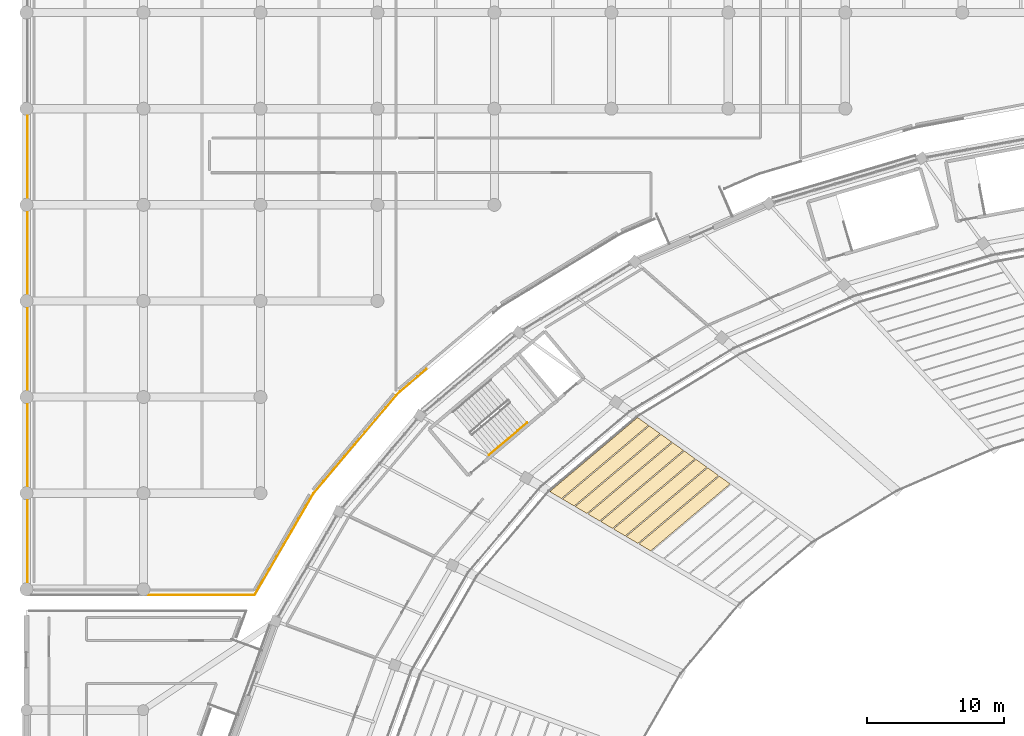
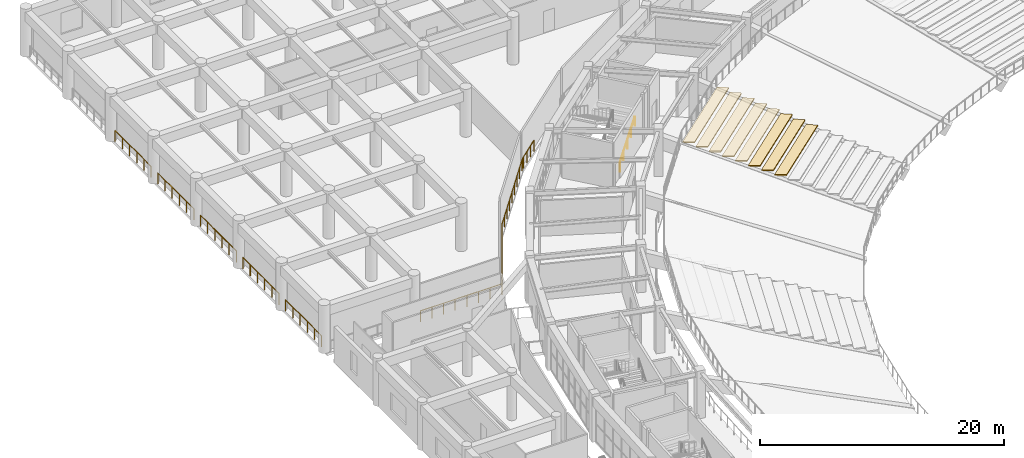
# One storey, part 130 of 137: 8 coverings, 7 railings.
"""IFC4 building model written with IfcOpenShell, lengths in metres."""

from ifc_helpers import new_model, si_unit, direction, frame, origin, origin_2d, place, context, subcontext, project, spatial, polyline, circle, outline, extrude, material, layer, layer_set, type_object, element, save


model = new_model("IFC4")

# Units and contexts
model_context = context("Model", 3, precision=1e-05, world=origin(), true_north=direction((0.0, 1.0)))
body_context = subcontext(model_context, "Body", "Model", "MODEL_VIEW")
ifc_project = project(units=[si_unit("LENGTHUNIT", "METRE"), si_unit("AREAUNIT", "SQUARE_METRE"), si_unit("VOLUMEUNIT", "CUBIC_METRE"), si_unit("PLANEANGLEUNIT", "RADIAN"), si_unit("MASSUNIT", "GRAM", prefix="KILO")], contexts=[model_context])

# Site, building, storey
site_placement = place(None, origin())
site = spatial("IfcSite", under=ifc_project, at=site_placement, CompositionType="ELEMENT")
building_placement = place(site_placement, origin())
building = spatial("IfcBuilding", under=site, at=building_placement, Name="Mphavela Belvedere Stadium", CompositionType="ELEMENT")
storey_placement = place(building_placement, frame((0.0, 0.0, 19.199951171875)))
storey = spatial("IfcBuildingStorey", under=building, at=storey_placement, Name="L04", CompositionType="ELEMENT", Elevation=19.199951171875)

# Coverings
ifc_material_1 = material(Name="Precast seating row terrazzo finish", Category="concrete")
ifc_layer = layer(ifc_material_1, 0.1201171875)
ifc_layer_set = layer_set([ifc_layer], Name="Precast seating row terrazzo finish")
covering_type = type_object("IfcCoveringType", Name="COV-SEAT-ROW-U", PredefinedType="FLOORING", material=ifc_layer_set)
covering_1_placement = place(storey_placement, frame((0.0, 0.0, -0.13671875)))
element("IfcCovering", 1, at=covering_1_placement, inside=storey, type_object=covering_type, Name="Upper stand seating row bench B19-R08", PredefinedType="FLOORING", context=body_context, shape_type="SweptSolid", body=[
    extrude(outline(polyline([(51.242431640625, 132.681884765625), (45.45703125, 127.7998046875), (44.602783203125, 128.301025390625), (50.459228515625, 133.2431640625), (51.242431640625, 132.681884765625)])), origin(), (0.0, 0.0, 1.0), 0.1201171875),
])
covering_2_placement = place(storey_placement, frame((0.0, 0.0, 0.330078125)))
element("IfcCovering", 2, at=covering_2_placement, inside=storey, type_object=covering_type, Name="Upper stand seating row bench B19-R09", PredefinedType="FLOORING", context=body_context, shape_type="SweptSolid", body=[
    extrude(outline(polyline([(50.39111328125, 133.2919921875), (44.5283203125, 128.3447265625), (43.67431640625, 128.845947265625), (49.60791015625, 133.85302734375), (50.39111328125, 133.2919921875)])), origin(), (0.0, 0.0, 1.0), 0.119873046875),
])
covering_3_placement = place(storey_placement, frame((0.0, 0.0, 0.796630859375)))
element("IfcCovering", 3, at=covering_3_placement, inside=storey, type_object=covering_type, Name="Upper stand seating row bench B19-R10", PredefinedType="FLOORING", context=body_context, shape_type="SweptSolid", body=[
    extrude(outline(polyline([(49.539794921875, 133.90185546875), (43.599853515625, 128.889404296875), (42.74560546875, 129.390625), (48.756591796875, 134.462890625), (49.539794921875, 133.90185546875)])), origin(), (0.0, 0.0, 1.0), 0.1201171875),
])
covering_4_placement = place(storey_placement, frame((0.0, 0.0, 1.263427734375)))
element("IfcCovering", 4, at=covering_4_placement, inside=storey, type_object=covering_type, Name="Upper stand seating row bench B19-R11", PredefinedType="FLOORING", context=body_context, shape_type="SweptSolid", body=[
    extrude(outline(polyline([(48.688720703125, 134.51171875), (42.67138671875, 129.43408203125), (41.817138671875, 129.935302734375), (47.905517578125, 135.072998046875), (48.688720703125, 134.51171875)])), origin(), (0.0, 0.0, 1.0), 0.119873046875),
])
covering_5_placement = place(storey_placement, frame((0.0, 0.0, 1.72998046875)))
element("IfcCovering", 5, at=covering_5_placement, inside=storey, type_object=covering_type, Name="Upper stand seating row bench B19-R12", PredefinedType="FLOORING", context=body_context, shape_type="SweptSolid", body=[
    extrude(outline(polyline([(47.83740234375, 135.121826171875), (41.742919921875, 129.97900390625), (40.888427734375, 130.480224609375), (47.05419921875, 135.682861328125), (47.83740234375, 135.121826171875)])), origin(), (0.0, 0.0, 1.0), 0.1201171875),
])
covering_6_placement = place(storey_placement, frame((0.0, 0.0, 2.19677734375)))
element("IfcCovering", 6, at=covering_6_placement, inside=storey, type_object=covering_type, Name="Upper stand seating row bench B19-R13", PredefinedType="FLOORING", context=body_context, shape_type="SweptSolid", body=[
    extrude(outline(polyline([(46.986083984375, 135.731689453125), (40.814208984375, 130.523681640625), (39.9599609375, 131.02490234375), (46.202880859375, 136.29296875), (46.986083984375, 135.731689453125)])), origin(), (0.0, 0.0, 1.0), 0.119873046875),
])
covering_7_placement = place(storey_placement, frame((0.0, 0.0, 2.663330078125)))
element("IfcCovering", 7, at=covering_7_placement, inside=storey, type_object=covering_type, Name="Upper stand seating row bench B19-R14", PredefinedType="FLOORING", context=body_context, shape_type="SweptSolid", body=[
    extrude(outline(polyline([(46.134765625, 136.341796875), (39.8857421875, 131.068603515625), (39.031494140625, 131.569580078125), (45.3515625, 136.90283203125), (46.134765625, 136.341796875)])), origin(), (0.0, 0.0, 1.0), 0.1201171875),
])
covering_8_placement = place(storey_placement, frame((0.0, 0.0, 3.130126953125)))
element("IfcCovering", 8, at=covering_8_placement, inside=storey, type_object=covering_type, Name="Upper stand seating row bench B19-R15", PredefinedType="FLOORING", context=body_context, shape_type="SweptSolid", body=[
    extrude(outline(polyline([(45.283447265625, 136.95166015625), (38.957275390625, 131.61328125), (38.102783203125, 132.114501953125), (44.500244140625, 137.5126953125), (45.283447265625, 136.95166015625)])), origin(), (0.0, 0.0, 1.0), 0.119873046875),
])

# Railings
ifc_material_2 = material(Name="Bronze and laminated glass stadium balustrade", Category="glass")
railing_type_1 = type_object("IfcRailingType", Name="RAL-BALUSTRADE-1120", PredefinedType="BALUSTRADE", material=ifc_material_2)
railing_1_placement = place(storey_placement, frame((29.1396484375, 141.0400390625, 0.0)))
element("IfcRailing", 9, at=railing_1_placement, inside=storey, type_object=railing_type_1, Name="Peristyle wing gallery edge balustrade L04-35", PredefinedType="BALUSTRADE", context=body_context, shape_type="SweptSolid", body=[
    extrude(circle(Radius=0.02392578125, at=origin_2d()), frame((0.0, 0.0, 1.09619140625), z_axis=(-0.764250179802, -0.64491988857, 0.0), x_axis=(0.64491988857, -0.764250179802, 0.0)), (0.0, 0.0, 1.0), 2.54931640625),
    extrude(circle(Radius=0.02392578125, at=origin_2d()), frame((-1.9482421875, -1.64404296875, 1.09619140625), z_axis=(-0.707747566275, -0.706465414887, 0.0), x_axis=(0.706465414887, -0.707747566275, 0.0)), (0.0, 0.0, 1.0), 0.380859375),
    extrude(circle(Radius=0.02392578125, at=origin_2d()), frame((-2.2177734375, -1.9130859375, 1.09619140625), z_axis=(-0.644472492073, -0.764627495557, 0.0), x_axis=(0.764627495557, -0.644472492073, 0.0)), (0.0, 0.0, 1.0), 9.352783203125),
    extrude(circle(Radius=0.02392578125, at=origin_2d()), frame((-8.245361328125, -9.064453125, 1.09619140625), z_axis=(-0.501496666229, -0.86515957705, 0.0), x_axis=(0.86515957705, -0.501496666229, 0.0)), (0.0, 0.0, 1.0), 8.548095703125),
    extrude(circle(Radius=0.02392578125, at=origin_2d()), frame((-12.5322265625, -16.4599609375, 1.09619140625), z_axis=(-1.0, 0.0, 0.0), x_axis=(0.0, -1.0, 0.0)), (0.0, 0.0, 1.0), 7.73388671875),
    extrude(circle(Radius=0.02099609375, at=origin_2d()), origin(), (0.0, 0.0, 1.0), 1.072021484375),
    extrude(circle(Radius=0.02099609375, at=origin_2d()), frame((-0.6494140625, -0.548095703125, 0.0)), (0.0, 0.0, 1.0), 1.072021484375),
    extrude(circle(Radius=0.02099609375, at=origin_2d()), frame((-1.298828125, -1.095947265625, 0.0)), (0.0, 0.0, 1.0), 1.072021484375),
    extrude(circle(Radius=0.02099609375, at=origin_2d()), frame((-1.9482421875, -1.64404296875, 0.0)), (0.0, 0.0, 1.0), 1.072021484375),
    extrude(circle(Radius=0.02099609375, at=origin_2d()), frame((-2.2177734375, -1.9130859375, 0.0)), (0.0, 0.0, 1.0), 1.072021484375),
    extrude(circle(Radius=0.02099609375, at=origin_2d()), frame((-2.97119140625, -2.80712890625, 0.0)), (0.0, 0.0, 1.0), 1.072021484375),
    extrude(circle(Radius=0.02099609375, at=origin_2d()), frame((-3.724609375, -3.700927734375, 0.0)), (0.0, 0.0, 1.0), 1.072021484375),
    extrude(circle(Radius=0.02099609375, at=origin_2d()), frame((-4.47802734375, -4.5947265625, 0.0)), (0.0, 0.0, 1.0), 1.072021484375),
    extrude(circle(Radius=0.02099609375, at=origin_2d()), frame((-5.2314453125, -5.48876953125, 0.0)), (0.0, 0.0, 1.0), 1.072021484375),
    extrude(circle(Radius=0.02099609375, at=origin_2d()), frame((-5.985107421875, -6.3828125, 0.0)), (0.0, 0.0, 1.0), 1.072021484375),
    extrude(circle(Radius=0.02099609375, at=origin_2d()), frame((-6.738525390625, -7.276611328125, 0.0)), (0.0, 0.0, 1.0), 1.072021484375),
    extrude(circle(Radius=0.02099609375, at=origin_2d()), frame((-7.491943359375, -8.17041015625, 0.0)), (0.0, 0.0, 1.0), 1.072021484375),
    extrude(circle(Radius=0.02099609375, at=origin_2d()), frame((-8.245361328125, -9.064453125, 0.0)), (0.0, 0.0, 1.0), 1.072021484375),
    extrude(circle(Radius=0.02099609375, at=origin_2d()), frame((-8.78125, -9.98876953125, 0.0)), (0.0, 0.0, 1.0), 1.072021484375),
    extrude(circle(Radius=0.02099609375, at=origin_2d()), frame((-9.317138671875, -10.913330078125, 0.0)), (0.0, 0.0, 1.0), 1.072021484375),
    extrude(circle(Radius=0.02099609375, at=origin_2d()), frame((-9.85302734375, -11.837890625, 0.0)), (0.0, 0.0, 1.0), 1.072021484375),
    extrude(circle(Radius=0.02099609375, at=origin_2d()), frame((-10.388671875, -12.76220703125, 0.0)), (0.0, 0.0, 1.0), 1.072021484375),
    extrude(circle(Radius=0.02099609375, at=origin_2d()), frame((-10.924560546875, -13.6865234375, 0.0)), (0.0, 0.0, 1.0), 1.072021484375),
    extrude(circle(Radius=0.02099609375, at=origin_2d()), frame((-11.46044921875, -14.611083984375, 0.0)), (0.0, 0.0, 1.0), 1.072021484375),
    extrude(circle(Radius=0.02099609375, at=origin_2d()), frame((-11.996337890625, -15.53564453125, 0.0)), (0.0, 0.0, 1.0), 1.072021484375),
    extrude(circle(Radius=0.02099609375, at=origin_2d()), frame((-12.5322265625, -16.4599609375, 0.0)), (0.0, 0.0, 1.0), 1.072021484375),
    extrude(circle(Radius=0.02099609375, at=origin_2d()), frame((-13.636962890625, -16.4599609375, 0.0)), (0.0, 0.0, 1.0), 1.072021484375),
    extrude(circle(Radius=0.02099609375, at=origin_2d()), frame((-14.741943359375, -16.4599609375, 0.0)), (0.0, 0.0, 1.0), 1.072021484375),
    extrude(circle(Radius=0.02099609375, at=origin_2d()), frame((-15.8466796875, -16.4599609375, 0.0)), (0.0, 0.0, 1.0), 1.072021484375),
    extrude(circle(Radius=0.02099609375, at=origin_2d()), frame((-16.95166015625, -16.4599609375, 0.0)), (0.0, 0.0, 1.0), 1.072021484375),
    extrude(circle(Radius=0.02099609375, at=origin_2d()), frame((-18.056396484375, -16.4599609375, 0.0)), (0.0, 0.0, 1.0), 1.072021484375),
    extrude(circle(Radius=0.02099609375, at=origin_2d()), frame((-19.161376953125, -16.4599609375, 0.0)), (0.0, 0.0, 1.0), 1.072021484375),
    extrude(circle(Radius=0.02099609375, at=origin_2d()), frame((-20.26611328125, -16.4599609375, 0.0)), (0.0, 0.0, 1.0), 1.072021484375),
])
for number, where, name in (
    (10, (0.080078125, 125.54345703125, 0.0), "Peristyle wing gallery edge balustrade L04-37"),
    (11, (0.080078125, 132.54345703125, 0.0), "Peristyle wing gallery edge balustrade L04-38"),
    (12, (0.080078125, 139.54345703125, 0.0), "Peristyle wing gallery edge balustrade L04-39"),
    (13, (0.080078125, 146.54345703125, 0.0), "Peristyle wing gallery edge balustrade L04-40"),
    (14, (0.080078125, 153.54345703125, 0.0), "Peristyle wing gallery edge balustrade L04-41"),
):
    element("IfcRailing", number, at=place(storey_placement, frame(where)), inside=storey, type_object=railing_type_1, Name=name, PredefinedType="BALUSTRADE", context=body_context, shape_type="SweptSolid", body=[
        extrude(circle(Radius=0.02392578125, at=origin_2d()), frame((0.0, 0.0, 1.09619140625), z_axis=(0.0, 1.0, 0.0), x_axis=(-1.0, 0.0, 0.0)), (0.0, 0.0, 1.0), 5.9130859375),
        extrude(circle(Radius=0.02099609375, at=origin_2d()), origin(), (0.0, 0.0, 1.0), 1.072021484375),
        extrude(circle(Radius=0.02099609375, at=origin_2d()), frame((0.0, 1.1826171875, 0.0)), (0.0, 0.0, 1.0), 1.072021484375),
        extrude(circle(Radius=0.02099609375, at=origin_2d()), frame((0.0, 2.365234375, 0.0)), (0.0, 0.0, 1.0), 1.072021484375),
        extrude(circle(Radius=0.02099609375, at=origin_2d()), frame((0.0, 3.5478515625, 0.0)), (0.0, 0.0, 1.0), 1.072021484375),
        extrude(circle(Radius=0.02099609375, at=origin_2d()), frame((0.0, 4.73046875, 0.0)), (0.0, 0.0, 1.0), 1.072021484375),
        extrude(circle(Radius=0.02099609375, at=origin_2d()), frame((0.0, 5.9130859375, 0.0)), (0.0, 0.0, 1.0), 1.072021484375),
    ])
ifc_material_3 = material(Name="Brushed stainless steel tubular handrail", Category="steel")
railing_type_2 = type_object("IfcRailingType", Name="RAL-HANDRAIL-900", PredefinedType="HANDRAIL", material=ifc_material_3)
railing_2_placement = place(storey_placement, frame((33.687255859375, 134.79150390625, 0.1845703125)))
element("IfcRailing", 15, at=railing_2_placement, inside=storey, type_object=railing_type_2, Name="L04 ST-C05 stair handrail 1", PredefinedType="HANDRAIL", context=body_context, shape_type="SweptSolid", body=[
    extrude(circle(Radius=0.02392578125, at=origin_2d()), frame((0.0, 0.0, 0.8759765625), z_axis=(0.652035554067, 0.550241216421, 0.521616947563), x_axis=(-0.644929967424, 0.764241674549, 0.0)), (0.0, 0.0, 1.0), 4.24755859375),
    extrude(circle(Radius=0.02099609375, at=origin_2d()), origin(), (0.0, 0.0, 1.0), 0.851806640625),
    extrude(circle(Radius=0.02099609375, at=origin_2d()), frame((0.6923828125, 0.584228515625, 0.553955078125)), (0.0, 0.0, 1.0), 0.851806640625),
    extrude(circle(Radius=0.02099609375, at=origin_2d()), frame((1.384765625, 1.16845703125, 1.10791015625)), (0.0, 0.0, 1.0), 0.851806640625),
    extrude(circle(Radius=0.02099609375, at=origin_2d()), frame((2.0771484375, 1.7529296875, 1.66162109375)), (0.0, 0.0, 1.0), 0.851806640625),
    extrude(circle(Radius=0.02099609375, at=origin_2d()), frame((2.76953125, 2.337158203125, 2.215576171875)), (0.0, 0.0, 1.0), 0.851806640625),
])

save(model, "model.ifc")
